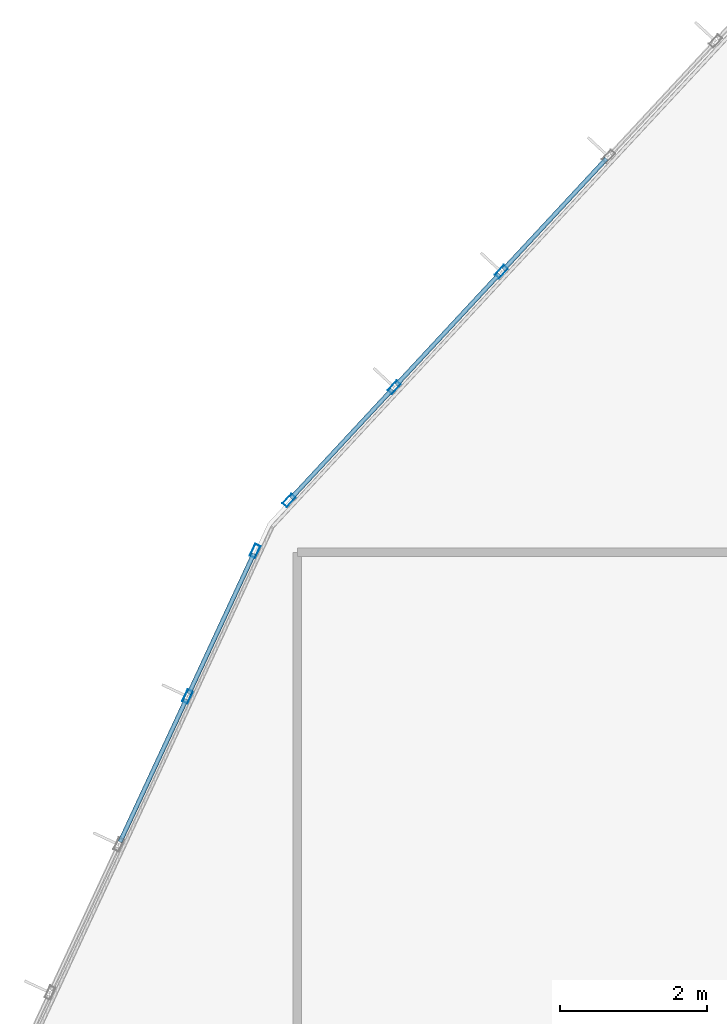
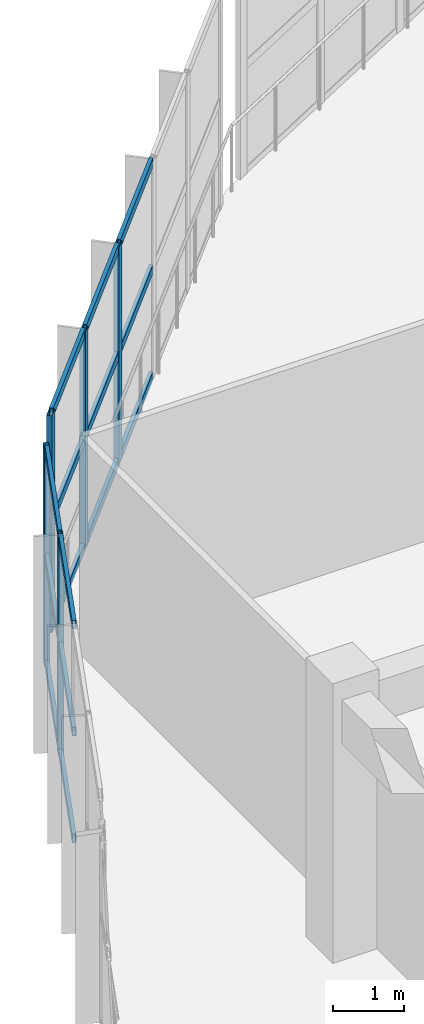
# One storey, part 41 of 167: 20 members, 2 elements without a shape of their own.
"""IFC4 building model written with IfcOpenShell, lengths in metres."""

from ifc_helpers import new_model, si_unit, direction, frame, origin, origin_2d, place, context, subcontext, project, spatial, hollow_rectangle, extrude, material, layer, layer_set, material_profile, profile_set, type_object, element, aggregate, save


model = new_model("IFC4")

# Units and contexts
model_context = context("Model", 3, precision=1e-05, world=origin(), true_north=direction((0.0, 1.0)))
body_context = subcontext(model_context, "Body", "Model", "MODEL_VIEW")
ifc_project = project(units=[si_unit("LENGTHUNIT", "METRE"), si_unit("AREAUNIT", "SQUARE_METRE"), si_unit("VOLUMEUNIT", "CUBIC_METRE"), si_unit("PLANEANGLEUNIT", "RADIAN"), si_unit("MASSUNIT", "GRAM", prefix="KILO")], contexts=[model_context])

# Site, building, storey
site_placement = place(None, origin())
site = spatial("IfcSite", under=ifc_project, at=site_placement, CompositionType="ELEMENT")
building_placement = place(site_placement, origin())
building = spatial("IfcBuilding", under=site, at=building_placement, Name="Zizhar Promenade General Hospital", CompositionType="ELEMENT")
storey_placement = place(building_placement, frame((0.0, 0.0, 9.60009765625)))
storey = spatial("IfcBuildingStorey", under=building, at=storey_placement, Name="L02", CompositionType="ELEMENT", Elevation=9.60009765625)

# Curtain wall, members
ifc_material_1 = material(Name="Anodised aluminium 6063-T6 and low-E glass", Category="aluminium")
ifc_layer = layer(ifc_material_1, 0.159912109375)
ifc_layer_set = layer_set([ifc_layer], Name="Anodised aluminium 6063-T6 and low-E glass")
curtain_wall_type = type_object("IfcCurtainWallType", Name="CW-DT-MOD2", PredefinedType="NOTDEFINED", material=ifc_layer_set)
curtain_wall_1_placement = place(storey_placement, origin())
curtain_wall_1 = element("IfcCurtainWall", 1, at=curtain_wall_1_placement, inside=storey, type_object=curtain_wall_type, Name="West Diagnostic Arm Glazed Curtain Wall L02-NW1", PredefinedType="NOTDEFINED")
ifc_material_2 = material(Name="Anodised aluminium 6063-T6", Category="aluminium")
ifc_material_profile_1 = material_profile(ifc_material_2, hollow_rectangle(XDim=0.080078125, YDim=0.179931640625, WallThickness=0.0048828125, at=origin_2d()))
ifc_profile_set_1 = profile_set([ifc_material_profile_1], Name="Anodised aluminium 6063-T6")
member_type_1 = type_object("IfcMemberType", Name="CWM-ALU-180x80", PredefinedType="MULLION", material=ifc_profile_set_1)
member_1_placement = place(storey_placement, frame((6.705078125, 64.841552734375, 0.0), z_axis=(0.0, 0.0, 1.0), x_axis=(-0.907007278189, 0.421114945486, 0.0)))
member_1 = element("IfcMember", 2, at=member_1_placement, type_object=member_type_1, Name="CW-08 mullion 8", PredefinedType="MULLION", context=body_context, shape_type="SweptSolid", body=[
    extrude(hollow_rectangle(XDim=0.080078125, YDim=0.179931640625, WallThickness=0.0048828125, at=origin_2d()), origin(), (0.0, 0.0, 1.0), 3.72998046875),
])
member_2_placement = place(storey_placement, frame((7.623046875, 66.819091796875, 0.0), z_axis=(0.0, 0.0, 1.0), x_axis=(-0.907007278189, 0.421114945486, 0.0)))
member_2 = element("IfcMember", 3, at=member_2_placement, type_object=member_type_1, Name="CW-08 mullion 9", PredefinedType="MULLION", context=body_context, shape_type="SweptSolid", body=[
    extrude(hollow_rectangle(XDim=0.080078125, YDim=0.179931640625, WallThickness=0.0048828125, at=origin_2d()), origin(), (0.0, 0.0, 1.0), 3.72998046875),
])

curtain_wall_2_placement = place(storey_placement, origin())
curtain_wall_2 = element("IfcCurtainWall", 4, at=curtain_wall_2_placement, inside=storey, type_object=curtain_wall_type, Name="West Diagnostic Arm Glazed Curtain Wall L02-NW2", PredefinedType="NOTDEFINED")
member_3_placement = place(storey_placement, frame((8.0859375, 67.5078125, 0.0), z_axis=(0.0, 0.0, 1.0), x_axis=(-0.732792826081, 0.680451816108, 0.0)))
member_3 = element("IfcMember", 5, at=member_3_placement, type_object=member_type_1, Name="CW-08 mullion 1", PredefinedType="MULLION", context=body_context, shape_type="SweptSolid", body=[
    extrude(hollow_rectangle(XDim=0.080078125, YDim=0.179931640625, WallThickness=0.0048828125, at=origin_2d()), origin(), (0.0, 0.0, 1.0), 3.72998046875),
])
member_4_placement = place(storey_placement, frame((9.51513671875, 69.047119140625, 0.0), z_axis=(0.0, 0.0, 1.0), x_axis=(-0.732792826081, 0.680451816108, 0.0)))
member_4 = element("IfcMember", 6, at=member_4_placement, type_object=member_type_1, Name="CW-08 mullion 2", PredefinedType="MULLION", context=body_context, shape_type="SweptSolid", body=[
    extrude(hollow_rectangle(XDim=0.080078125, YDim=0.179931640625, WallThickness=0.0048828125, at=origin_2d()), origin(), (0.0, 0.0, 1.0), 3.72998046875),
])
member_5_placement = place(storey_placement, frame((10.9716796875, 70.61572265625, 0.0), z_axis=(0.0, 0.0, 1.0), x_axis=(-0.732792826081, 0.680451816108, 0.0)))
member_5 = element("IfcMember", 7, at=member_5_placement, type_object=member_type_1, Name="CW-08 mullion 3", PredefinedType="MULLION", context=body_context, shape_type="SweptSolid", body=[
    extrude(hollow_rectangle(XDim=0.080078125, YDim=0.179931640625, WallThickness=0.0048828125, at=origin_2d()), origin(), (0.0, 0.0, 1.0), 3.72998046875),
])

# Member
ifc_material_3 = material(Name="Anodised aluminium 6063-T6", Category="aluminium")
ifc_material_profile_2 = material_profile(ifc_material_3, hollow_rectangle(XDim=0.06005859375, YDim=0.14990234375, WallThickness=0.00390625, at=origin_2d()))
ifc_profile_set_2 = profile_set([ifc_material_profile_2], Name="Anodised aluminium 6063-T6")
member_type_2 = type_object("IfcMemberType", Name="CWT-ALU-150x60", PredefinedType="USERDEFINED", material=ifc_profile_set_2)
member_6_placement = place(storey_placement, frame((5.786865234375, 62.864013671875, 0.02978515625), z_axis=(0.421154876076, 0.906988737724, 0.0), x_axis=(-0.906988737724, 0.421154876076, 0.0)))
member_6 = element("IfcMember", 8, at=member_6_placement, type_object=member_type_2, Name="CW-08 transom 7.1", ObjectType="TRANSOM", PredefinedType="USERDEFINED", context=body_context, shape_type="SweptSolid", body=[
    extrude(hollow_rectangle(XDim=0.06005859375, YDim=0.14990234375, WallThickness=0.00390625, at=origin_2d()), origin(), (0.0, 0.0, 1.0), 2.14013671875),
])

member_7_placement = place(storey_placement, frame((5.786865234375, 62.864013671875, 1.864990234375), z_axis=(0.421154876076, 0.906988737724, 0.0), x_axis=(-0.906988737724, 0.421154876076, 0.0)))
member_7 = element("IfcMember", 9, at=member_7_placement, type_object=member_type_2, Name="CW-08 transom 7.2", ObjectType="TRANSOM", PredefinedType="USERDEFINED", context=body_context, shape_type="SweptSolid", body=[
    extrude(hollow_rectangle(XDim=0.06005859375, YDim=0.14990234375, WallThickness=0.00390625, at=origin_2d()), origin(), (0.0, 0.0, 1.0), 2.14013671875),
])

member_8_placement = place(storey_placement, frame((5.786865234375, 62.864013671875, 3.699951171875), z_axis=(0.421154876076, 0.906988737724, 0.0), x_axis=(-0.906988737724, 0.421154876076, 0.0)))
member_8 = element("IfcMember", 10, at=member_8_placement, type_object=member_type_2, Name="CW-08 transom 7.3", ObjectType="TRANSOM", PredefinedType="USERDEFINED", context=body_context, shape_type="SweptSolid", body=[
    extrude(hollow_rectangle(XDim=0.06005859375, YDim=0.14990234375, WallThickness=0.00390625, at=origin_2d()), origin(), (0.0, 0.0, 1.0), 2.14013671875),
])

member_9_placement = place(storey_placement, frame((6.721923828125, 64.877685546875, 0.02978515625), z_axis=(0.421032752305, 0.907045435183, 0.0), x_axis=(-0.907045435183, 0.421032752305, 0.0)))
member_9 = element("IfcMember", 11, at=member_9_placement, type_object=member_type_2, Name="CW-08 transom 8.1", ObjectType="TRANSOM", PredefinedType="USERDEFINED", context=body_context, shape_type="SweptSolid", body=[
    extrude(hollow_rectangle(XDim=0.06005859375, YDim=0.14990234375, WallThickness=0.00390625, at=origin_2d()), origin(), (0.0, 0.0, 1.0), 2.100341796875),
])

member_10_placement = place(storey_placement, frame((6.721923828125, 64.877685546875, 1.864990234375), z_axis=(0.421032752305, 0.907045435183, 0.0), x_axis=(-0.907045435183, 0.421032752305, 0.0)))
member_10 = element("IfcMember", 12, at=member_10_placement, type_object=member_type_2, Name="CW-08 transom 8.2", ObjectType="TRANSOM", PredefinedType="USERDEFINED", context=body_context, shape_type="SweptSolid", body=[
    extrude(hollow_rectangle(XDim=0.06005859375, YDim=0.14990234375, WallThickness=0.00390625, at=origin_2d()), origin(), (0.0, 0.0, 1.0), 2.100341796875),
])

member_11_placement = place(storey_placement, frame((6.721923828125, 64.877685546875, 3.699951171875), z_axis=(0.421032752305, 0.907045435183, 0.0), x_axis=(-0.907045435183, 0.421032752305, 0.0)))
member_11 = element("IfcMember", 13, at=member_11_placement, type_object=member_type_2, Name="CW-08 transom 8.3", ObjectType="TRANSOM", PredefinedType="USERDEFINED", context=body_context, shape_type="SweptSolid", body=[
    extrude(hollow_rectangle(XDim=0.06005859375, YDim=0.14990234375, WallThickness=0.00390625, at=origin_2d()), origin(), (0.0, 0.0, 1.0), 2.100341796875),
])

aggregate(curtain_wall_1, [member_1, member_2, member_6, member_7, member_8, member_9, member_10, member_11])

member_12_placement = place(storey_placement, frame((8.113037109375, 67.537109375, 0.02978515625), z_axis=(0.680465001958, 0.732780581832, 0.0), x_axis=(-0.732780581832, 0.680465001958, 0.0)))
member_12 = element("IfcMember", 14, at=member_12_placement, type_object=member_type_2, Name="CW-08 transom 1.1", ObjectType="TRANSOM", PredefinedType="USERDEFINED", context=body_context, shape_type="SweptSolid", body=[
    extrude(hollow_rectangle(XDim=0.06005859375, YDim=0.14990234375, WallThickness=0.00390625, at=origin_2d()), origin(), (0.0, 0.0, 1.0), 2.020751953125),
])

member_13_placement = place(storey_placement, frame((8.113037109375, 67.537109375, 1.864990234375), z_axis=(0.680465001958, 0.732780581832, 0.0), x_axis=(-0.732780581832, 0.680465001958, 0.0)))
member_13 = element("IfcMember", 15, at=member_13_placement, type_object=member_type_2, Name="CW-08 transom 1.2", ObjectType="TRANSOM", PredefinedType="USERDEFINED", context=body_context, shape_type="SweptSolid", body=[
    extrude(hollow_rectangle(XDim=0.06005859375, YDim=0.14990234375, WallThickness=0.00390625, at=origin_2d()), origin(), (0.0, 0.0, 1.0), 2.020751953125),
])

member_14_placement = place(storey_placement, frame((8.113037109375, 67.537109375, 3.699951171875), z_axis=(0.680465001958, 0.732780581832, 0.0), x_axis=(-0.732780581832, 0.680465001958, 0.0)))
member_14 = element("IfcMember", 16, at=member_14_placement, type_object=member_type_2, Name="CW-08 transom 1.3", ObjectType="TRANSOM", PredefinedType="USERDEFINED", context=body_context, shape_type="SweptSolid", body=[
    extrude(hollow_rectangle(XDim=0.06005859375, YDim=0.14990234375, WallThickness=0.00390625, at=origin_2d()), origin(), (0.0, 0.0, 1.0), 2.020751953125),
])

member_15_placement = place(storey_placement, frame((9.54248046875, 69.076416015625, 0.02978515625), z_axis=(0.680437465798, 0.732806151133, 0.0), x_axis=(-0.732806151133, 0.680437465798, 0.0)))
member_15 = element("IfcMember", 17, at=member_15_placement, type_object=member_type_2, Name="CW-08 transom 2.1", ObjectType="TRANSOM", PredefinedType="USERDEFINED", context=body_context, shape_type="SweptSolid", body=[
    extrude(hollow_rectangle(XDim=0.06005859375, YDim=0.14990234375, WallThickness=0.00390625, at=origin_2d()), origin(), (0.0, 0.0, 1.0), 2.060546875),
])

member_16_placement = place(storey_placement, frame((9.54248046875, 69.076416015625, 1.864990234375), z_axis=(0.680437465798, 0.732806151133, 0.0), x_axis=(-0.732806151133, 0.680437465798, 0.0)))
member_16 = element("IfcMember", 18, at=member_16_placement, type_object=member_type_2, Name="CW-08 transom 2.2", ObjectType="TRANSOM", PredefinedType="USERDEFINED", context=body_context, shape_type="SweptSolid", body=[
    extrude(hollow_rectangle(XDim=0.06005859375, YDim=0.14990234375, WallThickness=0.00390625, at=origin_2d()), origin(), (0.0, 0.0, 1.0), 2.060546875),
])

member_17_placement = place(storey_placement, frame((9.54248046875, 69.076416015625, 3.699951171875), z_axis=(0.680437465798, 0.732806151133, 0.0), x_axis=(-0.732806151133, 0.680437465798, 0.0)))
member_17 = element("IfcMember", 19, at=member_17_placement, type_object=member_type_2, Name="CW-08 transom 2.3", ObjectType="TRANSOM", PredefinedType="USERDEFINED", context=body_context, shape_type="SweptSolid", body=[
    extrude(hollow_rectangle(XDim=0.06005859375, YDim=0.14990234375, WallThickness=0.00390625, at=origin_2d()), origin(), (0.0, 0.0, 1.0), 2.060546875),
])

member_18_placement = place(storey_placement, frame((10.9990234375, 70.64501953125, 0.02978515625), z_axis=(0.680437465798, 0.732806151133, 0.0), x_axis=(-0.732806151133, 0.680437465798, 0.0)))
member_18 = element("IfcMember", 20, at=member_18_placement, type_object=member_type_2, Name="CW-08 transom 3.1", ObjectType="TRANSOM", PredefinedType="USERDEFINED", context=body_context, shape_type="SweptSolid", body=[
    extrude(hollow_rectangle(XDim=0.06005859375, YDim=0.14990234375, WallThickness=0.00390625, at=origin_2d()), origin(), (0.0, 0.0, 1.0), 2.060546875),
])

member_19_placement = place(storey_placement, frame((10.9990234375, 70.64501953125, 1.864990234375), z_axis=(0.680437465798, 0.732806151133, 0.0), x_axis=(-0.732806151133, 0.680437465798, 0.0)))
member_19 = element("IfcMember", 21, at=member_19_placement, type_object=member_type_2, Name="CW-08 transom 3.2", ObjectType="TRANSOM", PredefinedType="USERDEFINED", context=body_context, shape_type="SweptSolid", body=[
    extrude(hollow_rectangle(XDim=0.06005859375, YDim=0.14990234375, WallThickness=0.00390625, at=origin_2d()), origin(), (0.0, 0.0, 1.0), 2.060546875),
])

member_20_placement = place(storey_placement, frame((10.9990234375, 70.64501953125, 3.699951171875), z_axis=(0.680437465798, 0.732806151133, 0.0), x_axis=(-0.732806151133, 0.680437465798, 0.0)))
member_20 = element("IfcMember", 22, at=member_20_placement, type_object=member_type_2, Name="CW-08 transom 3.3", ObjectType="TRANSOM", PredefinedType="USERDEFINED", context=body_context, shape_type="SweptSolid", body=[
    extrude(hollow_rectangle(XDim=0.06005859375, YDim=0.14990234375, WallThickness=0.00390625, at=origin_2d()), origin(), (0.0, 0.0, 1.0), 2.060546875),
])

aggregate(curtain_wall_2, [member_3, member_4, member_5, member_12, member_13, member_14, member_15, member_16, member_17, member_18, member_19, member_20])

save(model, "model.ifc")
